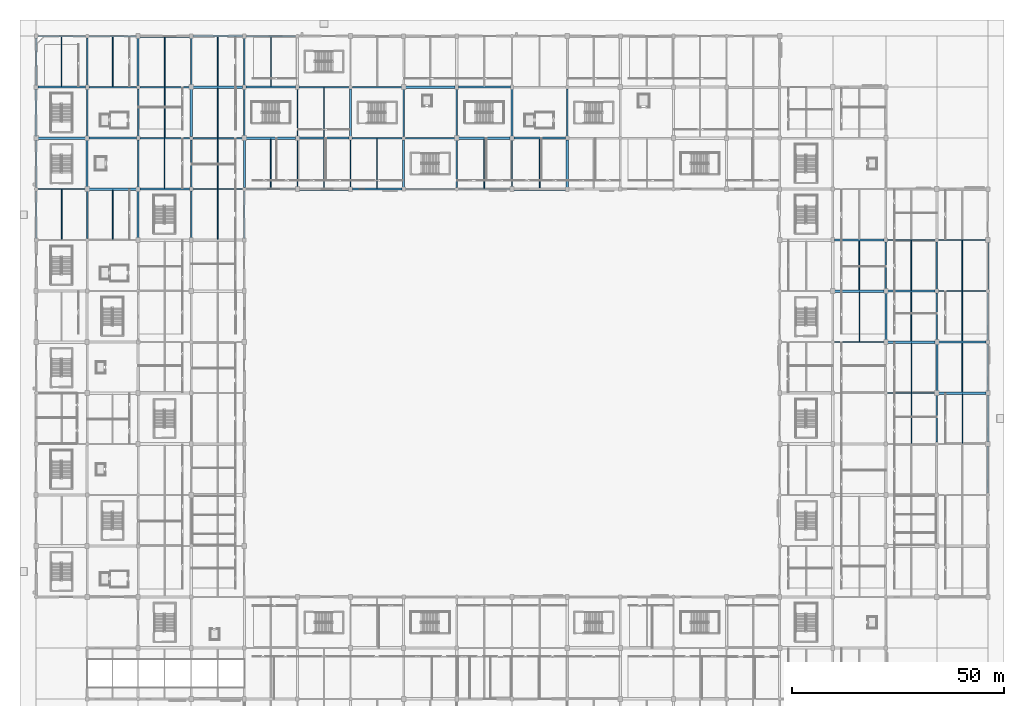
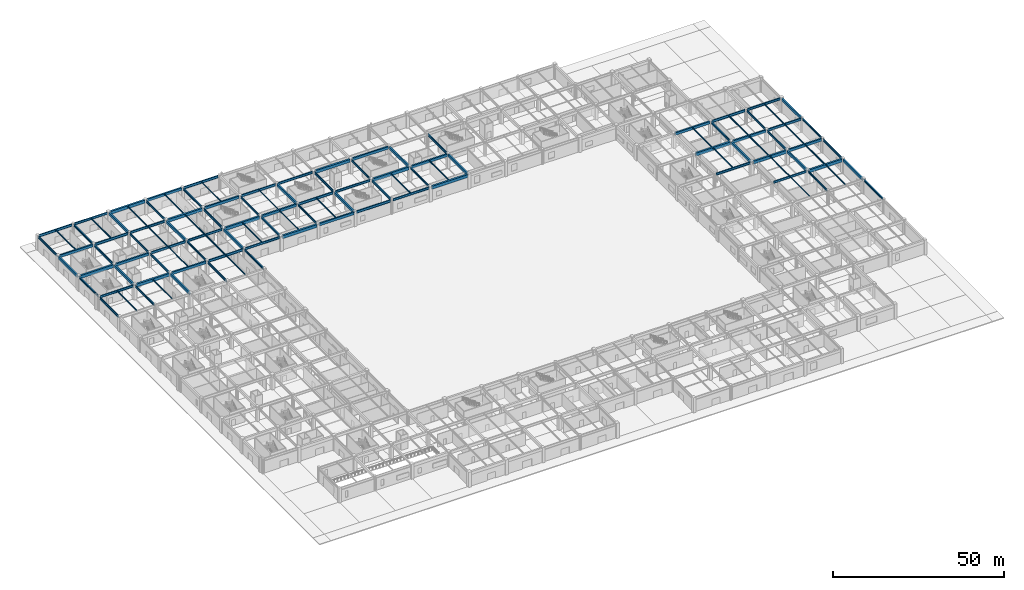
# One storey, part 7 of 69: 116 beams.
"""IFC4 building model written with IfcOpenShell, lengths in metres."""

from ifc_helpers import new_model, si_unit, direction, frame, origin, origin_2d, place, context, subcontext, project, spatial, rectangle, i_section, extrude, material, material_profile, profile_set, type_object, element, save


model = new_model("IFC4")

# Units and contexts
model_context = context("Model", 3, precision=1e-05, world=origin(), true_north=direction((0.0, 1.0)))
body_context = subcontext(model_context, "Body", "Model", "MODEL_VIEW")
ifc_project = project(units=[si_unit("LENGTHUNIT", "METRE"), si_unit("AREAUNIT", "SQUARE_METRE"), si_unit("VOLUMEUNIT", "CUBIC_METRE"), si_unit("PLANEANGLEUNIT", "RADIAN"), si_unit("MASSUNIT", "GRAM", prefix="KILO")], contexts=[model_context])

# Site, building, storey
site_placement = place(None, origin())
site = spatial("IfcSite", under=ifc_project, at=site_placement, CompositionType="ELEMENT")
building_placement = place(site_placement, origin())
building = spatial("IfcBuilding", under=site, at=building_placement, Name="Kazenohara Klinker Stadium", CompositionType="ELEMENT")
storey_placement = place(building_placement, origin())
storey = spatial("IfcBuildingStorey", under=building, at=storey_placement, Name="L00", CompositionType="ELEMENT", Elevation=0.0)

# Beams
ifc_material_1 = material(Name="Steel S355", Category="steel")
ifc_material_profile_1 = material_profile(ifc_material_1, i_section(OverallWidth=0.199951171875, OverallDepth=0.5, WebThickness=0.010009765625, FlangeThickness=0.01611328125, FilletRadius=0.012939453125, at=origin_2d()), Name="H-500x200x10x16")
ifc_profile_set_1 = profile_set([ifc_material_profile_1], Name="Steel S355")
beam_type_1 = type_object("IfcBeamType", Name="BM-JST01", PredefinedType="JOIST", material=ifc_profile_set_1)
for number, where, z_axis, x_axis, name in (
    (1, (18.0, 156.14990234375, 4.889892578125), (0.0, 1.0, 0.0), (-1.0, 0.0, 0.0), "Secondary floor joist SJ01 L00 2/P"),
    (2, (30.25, 144.14990234375, 4.889892578125), (0.0, 1.0, 0.0), (-1.0, 0.0, 0.0), "Secondary floor joist SJ01 L00 3/N"),
    (3, (42.75, 132.14990234375, 4.889892578125), (0.0, 1.0, 0.0), (-1.0, 0.0, 0.0), "Secondary floor joist SJ01 L00 4/M"),
):
    element("IfcBeam", number, at=place(storey_placement, frame(where, z_axis=z_axis, x_axis=x_axis)), inside=storey, type_object=beam_type_1, Name=name, PredefinedType="JOIST", context=body_context, shape_type="SweptSolid", body=[
        extrude(i_section(OverallWidth=0.199951171875, OverallDepth=0.5, WebThickness=0.010009765625, FlangeThickness=0.01611328125, FilletRadius=0.012939453125, at=origin_2d()), origin(), (0.0, 0.0, 1.0), 11.7001953125),
    ])
beam_1_placement = place(storey_placement, frame((105.5, 132.14990234375, 4.889892578125), z_axis=(0.0, 1.0, 0.0), x_axis=(-1.0, 0.0, 0.0)))
element("IfcBeam", 4, at=beam_1_placement, inside=storey, type_object=beam_type_1, Name="Secondary floor joist SJ01 L00 9/M", PredefinedType="JOIST", context=body_context, shape_type="SweptSolid", body=[
    extrude(i_section(OverallWidth=0.199951171875, OverallDepth=0.5, WebThickness=0.010009765625, FlangeThickness=0.01611328125, FilletRadius=0.012939453125, at=origin_2d()), origin(), (0.0, 0.0, 1.0), 11.550048828125),
])
for number, where, z_axis, x_axis, name in (
    (5, (193.75, 108.300048828125, 4.889892578125), (0.0, 1.0, 0.0), (-1.0, 0.0, 0.0), "Secondary floor joist SJ01 L00 16/K"),
    (6, (206.0, 96.300048828125, 4.889892578125), (0.0, 1.0, 0.0), (-1.0, 0.0, 0.0), "Secondary floor joist SJ01 L00 17/J"),
    (7, (218.0, 84.300048828125, 4.889892578125), (0.0, 1.0, 0.0), (-1.0, 0.0, 0.0), "Secondary floor joist SJ01 L00 18/H"),
):
    element("IfcBeam", number, at=place(storey_placement, frame(where, z_axis=z_axis, x_axis=x_axis)), inside=storey, type_object=beam_type_1, Name=name, PredefinedType="JOIST", context=body_context, shape_type="SweptSolid", body=[
        extrude(i_section(OverallWidth=0.199951171875, OverallDepth=0.5, WebThickness=0.010009765625, FlangeThickness=0.01611328125, FilletRadius=0.012939453125, at=origin_2d()), origin(), (0.0, 0.0, 1.0), 11.449951171875),
    ])
ifc_material_profile_2 = material_profile(ifc_material_1, i_section(OverallWidth=0.199951171875, OverallDepth=0.449951171875, WebThickness=0.009033203125, FlangeThickness=0.013916015625, FilletRadius=0.012939453125, at=origin_2d()), Name="H-450x200x9x14")
ifc_profile_set_2 = profile_set([ifc_material_profile_2], Name="Steel S355")
beam_type_2 = type_object("IfcBeamType", Name="BM-JST02", PredefinedType="JOIST", material=ifc_profile_set_2)
beam_2_placement = place(storey_placement, frame((6.0, 120.14990234375, 4.9150390625), z_axis=(0.0, 1.0, 0.0), x_axis=(-1.0, 0.0, 0.0)))
element("IfcBeam", 8, at=beam_2_placement, inside=storey, type_object=beam_type_2, Name="Secondary floor joist SJ02 L00 1/L", PredefinedType="JOIST", context=body_context, shape_type="SweptSolid", body=[
    extrude(i_section(OverallWidth=0.199951171875, OverallDepth=0.449951171875, WebThickness=0.009033203125, FlangeThickness=0.013916015625, FilletRadius=0.012939453125, at=origin_2d()), origin(), (0.0, 0.0, 1.0), 11.7001953125),
])
for number, where, z_axis, x_axis, name in (
    (9, (30.25, 156.14990234375, 4.9150390625), (0.0, 1.0, 0.0), (-1.0, 0.0, 0.0), "Secondary floor joist SJ02 L00 3/P"),
    (10, (42.75, 144.14990234375, 4.9150390625), (0.0, 1.0, 0.0), (-1.0, 0.0, 0.0), "Secondary floor joist SJ02 L00 4/N"),
    (11, (55.25, 132.14990234375, 4.9150390625), (0.0, 1.0, 0.0), (-1.0, 0.0, 0.0), "Secondary floor joist SJ02 L00 5/M"),
):
    element("IfcBeam", number, at=place(storey_placement, frame(where, z_axis=z_axis, x_axis=x_axis)), inside=storey, type_object=beam_type_2, Name=name, PredefinedType="JOIST", context=body_context, shape_type="SweptSolid", body=[
        extrude(i_section(OverallWidth=0.199951171875, OverallDepth=0.449951171875, WebThickness=0.009033203125, FlangeThickness=0.013916015625, FilletRadius=0.012939453125, at=origin_2d()), origin(), (0.0, 0.0, 1.0), 11.550048828125),
    ])
beam_3_placement = place(storey_placement, frame((118.5, 132.300048828125, 4.9150390625), z_axis=(0.0, 1.0, 0.0), x_axis=(-1.0, 0.0, 0.0)))
element("IfcBeam", 12, at=beam_3_placement, inside=storey, type_object=beam_type_2, Name="Secondary floor joist SJ02 L00 10/M", PredefinedType="JOIST", context=body_context, shape_type="SweptSolid", body=[
    extrude(i_section(OverallWidth=0.199951171875, OverallDepth=0.449951171875, WebThickness=0.009033203125, FlangeThickness=0.013916015625, FilletRadius=0.012939453125, at=origin_2d()), origin(), (0.0, 0.0, 1.0), 11.449951171875),
])
for number, where, z_axis, x_axis, name in (
    (13, (206.0, 108.25, 4.9150390625), (0.0, 1.0, 0.0), (-1.0, 0.0, 0.0), "Secondary floor joist SJ02 L00 17/K"),
    (14, (218.0, 96.25, 4.9150390625), (0.0, 1.0, 0.0), (-1.0, 0.0, 0.0), "Secondary floor joist SJ02 L00 18/J"),
):
    element("IfcBeam", number, at=place(storey_placement, frame(where, z_axis=z_axis, x_axis=x_axis)), inside=storey, type_object=beam_type_2, Name=name, PredefinedType="JOIST", context=body_context, shape_type="SweptSolid", body=[
        extrude(i_section(OverallWidth=0.199951171875, OverallDepth=0.449951171875, WebThickness=0.009033203125, FlangeThickness=0.013916015625, FilletRadius=0.012939453125, at=origin_2d()), origin(), (0.0, 0.0, 1.0), 11.60009765625),
    ])
ifc_material_profile_3 = material_profile(ifc_material_1, i_section(OverallWidth=0.199951171875, OverallDepth=0.39990234375, WebThickness=0.008056640625, FlangeThickness=0.012939453125, FilletRadius=0.012939453125, at=origin_2d()), Name="H-400x200x8x13")
ifc_profile_set_3 = profile_set([ifc_material_profile_3], Name="Steel S355")
beam_type_3 = type_object("IfcBeamType", Name="BM-JST03", PredefinedType="JOIST", material=ifc_profile_set_3)
beam_4_placement = place(storey_placement, frame((18.0, 120.14990234375, 4.93994140625), z_axis=(0.0, 1.0, 0.0), x_axis=(-1.0, 0.0, 0.0)))
element("IfcBeam", 15, at=beam_4_placement, inside=storey, type_object=beam_type_3, Name="Secondary floor joist SJ03 L00 2/L", PredefinedType="JOIST", context=body_context, shape_type="SweptSolid", body=[
    extrude(i_section(OverallWidth=0.199951171875, OverallDepth=0.39990234375, WebThickness=0.008056640625, FlangeThickness=0.012939453125, FilletRadius=0.012939453125, at=origin_2d()), origin(), (0.0, 0.0, 1.0), 11.550048828125),
])
for number, where, z_axis, x_axis, name in (
    (16, (42.75, 156.300048828125, 4.93994140625), (0.0, 1.0, 0.0), (-1.0, 0.0, 0.0), "Secondary floor joist SJ03 L00 4/P"),
    (17, (67.75, 132.300048828125, 4.93994140625), (0.0, 1.0, 0.0), (-1.0, 0.0, 0.0), "Secondary floor joist SJ03 L00 6/M"),
):
    element("IfcBeam", number, at=place(storey_placement, frame(where, z_axis=z_axis, x_axis=x_axis)), inside=storey, type_object=beam_type_3, Name=name, PredefinedType="JOIST", context=body_context, shape_type="SweptSolid", body=[
        extrude(i_section(OverallWidth=0.199951171875, OverallDepth=0.39990234375, WebThickness=0.008056640625, FlangeThickness=0.012939453125, FilletRadius=0.012939453125, at=origin_2d()), origin(), (0.0, 0.0, 1.0), 11.449951171875),
    ])
beam_5_placement = place(storey_placement, frame((218.0, 108.14990234375, 4.93994140625), z_axis=(0.0, 1.0, 0.0), x_axis=(-1.0, 0.0, 0.0)))
element("IfcBeam", 18, at=beam_5_placement, inside=storey, type_object=beam_type_3, Name="Secondary floor joist SJ03 L00 18/K", PredefinedType="JOIST", context=body_context, shape_type="SweptSolid", body=[
    extrude(i_section(OverallWidth=0.199951171875, OverallDepth=0.39990234375, WebThickness=0.008056640625, FlangeThickness=0.012939453125, FilletRadius=0.012939453125, at=origin_2d()), origin(), (0.0, 0.0, 1.0), 11.7001953125),
])
ifc_material_profile_4 = material_profile(ifc_material_1, i_section(OverallWidth=0.175048828125, OverallDepth=0.35009765625, WebThickness=0.007080078125, FlangeThickness=0.010986328125, FilletRadius=0.012939453125, at=origin_2d()), Name="H-350x175x7x11")
ifc_profile_set_4 = profile_set([ifc_material_profile_4], Name="Steel S355")
beam_type_4 = type_object("IfcBeamType", Name="BM-JST04", PredefinedType="JOIST", material=ifc_profile_set_4)
for number, where, z_axis, x_axis, name in (
    (19, (55.25, 156.25, 4.965087890625), (0.0, 1.0, 0.0), (-1.0, 0.0, 0.0), "Secondary floor joist SJ04 L00 5/P"),
    (20, (67.75, 144.25, 4.965087890625), (0.0, 1.0, 0.0), (-1.0, 0.0, 0.0), "Secondary floor joist SJ04 L00 6/N"),
    (21, (80.25, 132.25, 4.965087890625), (0.0, 1.0, 0.0), (-1.0, 0.0, 0.0), "Secondary floor joist SJ04 L00 7/M"),
):
    element("IfcBeam", number, at=place(storey_placement, frame(where, z_axis=z_axis, x_axis=x_axis)), inside=storey, type_object=beam_type_4, Name=name, PredefinedType="JOIST", context=body_context, shape_type="SweptSolid", body=[
        extrude(i_section(OverallWidth=0.175048828125, OverallDepth=0.35009765625, WebThickness=0.007080078125, FlangeThickness=0.010986328125, FilletRadius=0.012939453125, at=origin_2d()), origin(), (0.0, 0.0, 1.0), 11.60009765625),
    ])
beam_6_placement = place(storey_placement, frame((206.0, 72.14990234375, 4.965087890625), z_axis=(0.0, 1.0, 0.0), x_axis=(-1.0, 0.0, 0.0)))
element("IfcBeam", 22, at=beam_6_placement, inside=storey, type_object=beam_type_4, Name="Secondary floor joist SJ04 L00 17/G", PredefinedType="JOIST", context=body_context, shape_type="SweptSolid", body=[
    extrude(i_section(OverallWidth=0.175048828125, OverallDepth=0.35009765625, WebThickness=0.007080078125, FlangeThickness=0.010986328125, FilletRadius=0.012939453125, at=origin_2d()), origin(), (0.0, 0.0, 1.0), 11.7001953125),
])
ifc_material_profile_5 = material_profile(ifc_material_1, i_section(OverallWidth=0.14990234375, OverallDepth=0.300048828125, WebThickness=0.006591796875, FlangeThickness=0.009033203125, FilletRadius=0.012939453125, at=origin_2d()), Name="H-300x150x6.5x9")
ifc_profile_set_5 = profile_set([ifc_material_profile_5], Name="Steel S355")
beam_type_5 = type_object("IfcBeamType", Name="BM-JST05", PredefinedType="JOIST", material=ifc_profile_set_5)
for number, where, z_axis, x_axis, name in (
    (23, (6.0, 156.25, 4.989990234375), (0.0, 1.0, 0.0), (-1.0, 0.0, 0.0), "Secondary floor joist SJ05 L00 1/P"),
    (24, (30.25, 132.25, 4.989990234375), (0.0, 1.0, 0.0), (-1.0, 0.0, 0.0), "Secondary floor joist SJ05 L00 3/M"),
    (25, (42.75, 120.25, 4.989990234375), (0.0, 1.0, 0.0), (-1.0, 0.0, 0.0), "Secondary floor joist SJ05 L00 4/L"),
):
    element("IfcBeam", number, at=place(storey_placement, frame(where, z_axis=z_axis, x_axis=x_axis)), inside=storey, type_object=beam_type_5, Name=name, PredefinedType="JOIST", context=body_context, shape_type="SweptSolid", body=[
        extrude(i_section(OverallWidth=0.14990234375, OverallDepth=0.300048828125, WebThickness=0.006591796875, FlangeThickness=0.009033203125, FilletRadius=0.012939453125, at=origin_2d()), origin(), (0.0, 0.0, 1.0), 11.60009765625),
    ])
for number, where, z_axis, x_axis, name in (
    (26, (193.75, 96.14990234375, 4.989990234375), (0.0, 1.0, 0.0), (-1.0, 0.0, 0.0), "Secondary floor joist SJ05 L00 16/J"),
    (27, (206.0, 84.14990234375, 4.989990234375), (0.0, 1.0, 0.0), (-1.0, 0.0, 0.0), "Secondary floor joist SJ05 L00 17/H"),
    (28, (218.0, 72.14990234375, 4.989990234375), (0.0, 1.0, 0.0), (-1.0, 0.0, 0.0), "Secondary floor joist SJ05 L00 18/G"),
):
    element("IfcBeam", number, at=place(storey_placement, frame(where, z_axis=z_axis, x_axis=x_axis)), inside=storey, type_object=beam_type_5, Name=name, PredefinedType="JOIST", context=body_context, shape_type="SweptSolid", body=[
        extrude(i_section(OverallWidth=0.14990234375, OverallDepth=0.300048828125, WebThickness=0.006591796875, FlangeThickness=0.009033203125, FilletRadius=0.012939453125, at=origin_2d()), origin(), (0.0, 0.0, 1.0), 11.550048828125),
    ])
ifc_material_2 = material(Name="Concrete C40/50", Category="concrete")
ifc_material_profile_6 = material_profile(ifc_material_2, rectangle(XDim=0.60009765625, YDim=1.050048828125, at=origin_2d()), Name="RC-BM-600x1050")
ifc_profile_set_6 = profile_set([ifc_material_profile_6], Name="Concrete C40/50")
beam_type_6 = type_object("IfcBeamType", Name="BM-RC01", PredefinedType="BEAM", material=ifc_profile_set_6)
for number, where, z_axis, x_axis, name in (
    (29, (0.419921875, 144.0, 4.614990234375), (1.0, 0.0, 0.0), (0.0, 1.0, 0.0), "Primary girder BG01 L00 1-2/N"),
    (30, (12.419921875, 132.0, 4.614990234375), (1.0, 0.0, 0.0), (0.0, 1.0, 0.0), "Primary girder BG01 L00 2-3/M"),
):
    element("IfcBeam", number, at=place(storey_placement, frame(where, z_axis=z_axis, x_axis=x_axis)), inside=storey, type_object=beam_type_6, Name=name, PredefinedType="BEAM", context=body_context, shape_type="SweptSolid", body=[
        extrude(rectangle(XDim=0.60009765625, YDim=1.050048828125, at=origin_2d()), origin(), (0.0, 0.0, 1.0), 11.16015625),
    ])
for number, where, z_axis, x_axis, name in (
    (31, (24.419921875, 168.0, 4.614990234375), (1.0, 0.0, 0.0), (0.0, 1.0, 0.0), "Primary girder BG01 L00 3-4/Q"),
    (32, (36.919921875, 156.0, 4.614990234375), (1.0, 0.0, 0.0), (0.0, 1.0, 0.0), "Primary girder BG01 L00 4-5/P"),
    (33, (49.419921875, 144.0, 4.614990234375), (1.0, 0.0, 0.0), (0.0, 1.0, 0.0), "Primary girder BG01 L00 5-6/N"),
    (34, (61.919921875, 132.0, 4.614990234375), (1.0, 0.0, 0.0), (0.0, 1.0, 0.0), "Primary girder BG01 L00 6-7/M"),
    (35, (86.919921875, 156.0, 4.614990234375), (1.0, 0.0, 0.0), (0.0, 1.0, 0.0), "Primary girder BG01 L00 8-9/P"),
):
    element("IfcBeam", number, at=place(storey_placement, frame(where, z_axis=z_axis, x_axis=x_axis)), inside=storey, type_object=beam_type_6, Name=name, PredefinedType="BEAM", context=body_context, shape_type="SweptSolid", body=[
        extrude(rectangle(XDim=0.60009765625, YDim=1.050048828125, at=origin_2d()), origin(), (0.0, 0.0, 1.0), 11.66015625),
    ])
for number, where, z_axis, x_axis, name in (
    (36, (99.419921875, 144.0, 4.614990234375), (1.0, 0.0, 0.0), (0.0, 1.0, 0.0), "Primary girder BG01 L00 9-10/N"),
    (37, (112.419921875, 132.0, 4.614990234375), (1.0, 0.0, 0.0), (0.0, 1.0, 0.0), "Primary girder BG01 L00 10-11/M"),
):
    element("IfcBeam", number, at=place(storey_placement, frame(where, z_axis=z_axis, x_axis=x_axis)), inside=storey, type_object=beam_type_6, Name=name, PredefinedType="BEAM", context=body_context, shape_type="SweptSolid", body=[
        extrude(rectangle(XDim=0.60009765625, YDim=1.050048828125, at=origin_2d()), origin(), (0.0, 0.0, 1.0), 12.16015625),
    ])
beam_7_placement = place(storey_placement, frame((187.919921875, 108.0, 4.614990234375), z_axis=(1.0, 0.0, 0.0), x_axis=(0.0, 1.0, 0.0)))
element("IfcBeam", 38, at=beam_7_placement, inside=storey, type_object=beam_type_6, Name="Primary girder BG01 L00 16-17/K", PredefinedType="BEAM", context=body_context, shape_type="SweptSolid", body=[
    extrude(rectangle(XDim=0.60009765625, YDim=1.050048828125, at=origin_2d()), origin(), (0.0, 0.0, 1.0), 11.66015625),
])
for number, where, z_axis, x_axis, name in (
    (39, (200.419921875, 96.0, 4.614990234375), (1.0, 0.0, 0.0), (0.0, 1.0, 0.0), "Primary girder BG01 L00 17-18/J"),
    (40, (212.419921875, 84.0, 4.614990234375), (1.0, 0.0, 0.0), (0.0, 1.0, 0.0), "Primary girder BG01 L00 18-19/H"),
):
    element("IfcBeam", number, at=place(storey_placement, frame(where, z_axis=z_axis, x_axis=x_axis)), inside=storey, type_object=beam_type_6, Name=name, PredefinedType="BEAM", context=body_context, shape_type="SweptSolid", body=[
        extrude(rectangle(XDim=0.60009765625, YDim=1.050048828125, at=origin_2d()), origin(), (0.0, 0.0, 1.0), 11.16015625),
    ])
ifc_material_profile_7 = material_profile(ifc_material_2, rectangle(XDim=0.5, YDim=0.89990234375, at=origin_2d()), Name="RC-BM-500x900")
ifc_profile_set_7 = profile_set([ifc_material_profile_7], Name="Concrete C40/50")
beam_type_7 = type_object("IfcBeamType", Name="BM-RC02", PredefinedType="BEAM", material=ifc_profile_set_7)
for number, where, z_axis, x_axis, name in (
    (41, (0.419921875, 156.0, 4.68994140625), (1.0, 0.0, 0.0), (0.0, 1.0, 0.0), "Primary girder BG02 L00 1-2/P"),
    (42, (12.419921875, 144.0, 4.68994140625), (1.0, 0.0, 0.0), (0.0, 1.0, 0.0), "Primary girder BG02 L00 2-3/N"),
):
    element("IfcBeam", number, at=place(storey_placement, frame(where, z_axis=z_axis, x_axis=x_axis)), inside=storey, type_object=beam_type_7, Name=name, PredefinedType="BEAM", context=body_context, shape_type="SweptSolid", body=[
        extrude(rectangle(XDim=0.5, YDim=0.89990234375, at=origin_2d()), origin(), (0.0, 0.0, 1.0), 11.18017578125),
    ])
for number, where, z_axis, x_axis, name in (
    (43, (24.419921875, 132.0, 4.68994140625), (1.0, 0.0, 0.0), (0.0, 1.0, 0.0), "Primary girder BG02 L00 3-4/M"),
    (44, (36.919921875, 168.0, 4.68994140625), (1.0, 0.0, 0.0), (0.0, 1.0, 0.0), "Primary girder BG02 L00 4-5/Q"),
    (45, (49.419921875, 156.0, 4.68994140625), (1.0, 0.0, 0.0), (0.0, 1.0, 0.0), "Primary girder BG02 L00 5-6/P"),
    (46, (61.919921875, 144.0, 4.68994140625), (1.0, 0.0, 0.0), (0.0, 1.0, 0.0), "Primary girder BG02 L00 6-7/N"),
    (47, (74.419921875, 132.0, 4.68994140625), (1.0, 0.0, 0.0), (0.0, 1.0, 0.0), "Primary girder BG02 L00 7-8/M"),
):
    element("IfcBeam", number, at=place(storey_placement, frame(where, z_axis=z_axis, x_axis=x_axis)), inside=storey, type_object=beam_type_7, Name=name, PredefinedType="BEAM", context=body_context, shape_type="SweptSolid", body=[
        extrude(rectangle(XDim=0.5, YDim=0.89990234375, at=origin_2d()), origin(), (0.0, 0.0, 1.0), 11.68017578125),
    ])
for number, where, z_axis, x_axis, name in (
    (48, (99.419921875, 156.0, 4.68994140625), (1.0, 0.0, 0.0), (0.0, 1.0, 0.0), "Primary girder BG02 L00 9-10/P"),
    (49, (112.419921875, 144.0, 4.68994140625), (1.0, 0.0, 0.0), (0.0, 1.0, 0.0), "Primary girder BG02 L00 10-11/N"),
):
    element("IfcBeam", number, at=place(storey_placement, frame(where, z_axis=z_axis, x_axis=x_axis)), inside=storey, type_object=beam_type_7, Name=name, PredefinedType="BEAM", context=body_context, shape_type="SweptSolid", body=[
        extrude(rectangle(XDim=0.5, YDim=0.89990234375, at=origin_2d()), origin(), (0.0, 0.0, 1.0), 12.18017578125),
    ])
beam_8_placement = place(storey_placement, frame((187.919921875, 120.0, 4.68994140625), z_axis=(1.0, 0.0, 0.0), x_axis=(0.0, 1.0, 0.0)))
element("IfcBeam", 50, at=beam_8_placement, inside=storey, type_object=beam_type_7, Name="Primary girder BG02 L00 16-17/L", PredefinedType="BEAM", context=body_context, shape_type="SweptSolid", body=[
    extrude(rectangle(XDim=0.5, YDim=0.89990234375, at=origin_2d()), origin(), (0.0, 0.0, 1.0), 11.68017578125),
])
for number, where, z_axis, x_axis, name in (
    (51, (200.419921875, 108.0, 4.68994140625), (1.0, 0.0, 0.0), (0.0, 1.0, 0.0), "Primary girder BG02 L00 17-18/K"),
    (52, (212.419921875, 96.0, 4.68994140625), (1.0, 0.0, 0.0), (0.0, 1.0, 0.0), "Primary girder BG02 L00 18-19/J"),
):
    element("IfcBeam", number, at=place(storey_placement, frame(where, z_axis=z_axis, x_axis=x_axis)), inside=storey, type_object=beam_type_7, Name=name, PredefinedType="BEAM", context=body_context, shape_type="SweptSolid", body=[
        extrude(rectangle(XDim=0.5, YDim=0.89990234375, at=origin_2d()), origin(), (0.0, 0.0, 1.0), 11.18017578125),
    ])
for number, where, z_axis, x_axis, name in (
    (53, (0.0, 144.419921875, 4.68994140625), (0.0, 1.0, 0.0), (-1.0, 0.0, 0.0), "Primary girder BG02 L00 1/N-P"),
    (54, (12.0, 132.419921875, 4.68994140625), (0.0, 1.0, 0.0), (-1.0, 0.0, 0.0), "Primary girder BG02 L00 2/M-N"),
    (55, (24.0, 120.419921875, 4.68994140625), (0.0, 1.0, 0.0), (-1.0, 0.0, 0.0), "Primary girder BG02 L00 3/L-M"),
    (56, (24.0, 156.419921875, 4.68994140625), (0.0, 1.0, 0.0), (-1.0, 0.0, 0.0), "Primary girder BG02 L00 3/P-Q"),
    (57, (36.5, 144.419921875, 4.68994140625), (0.0, 1.0, 0.0), (-1.0, 0.0, 0.0), "Primary girder BG02 L00 4/N-P"),
    (58, (49.0, 132.419921875, 4.68994140625), (0.0, 1.0, 0.0), (-1.0, 0.0, 0.0), "Primary girder BG02 L00 5/M-N"),
    (59, (74.0, 144.419921875, 4.68994140625), (0.0, 1.0, 0.0), (-1.0, 0.0, 0.0), "Primary girder BG02 L00 7/N-P"),
    (60, (86.5, 132.419921875, 4.68994140625), (0.0, 1.0, 0.0), (-1.0, 0.0, 0.0), "Primary girder BG02 L00 8/M-N"),
    (61, (112.0, 144.419921875, 4.68994140625), (0.0, 1.0, 0.0), (-1.0, 0.0, 0.0), "Primary girder BG02 L00 10/N-P"),
    (62, (125.0, 132.419921875, 4.68994140625), (0.0, 1.0, 0.0), (-1.0, 0.0, 0.0), "Primary girder BG02 L00 11/M-N"),
    (63, (200.0, 96.419921875, 4.68994140625), (0.0, 1.0, 0.0), (-1.0, 0.0, 0.0), "Primary girder BG02 L00 17/J-K"),
    (64, (212.0, 84.419921875, 4.68994140625), (0.0, 1.0, 0.0), (-1.0, 0.0, 0.0), "Primary girder BG02 L00 18/H-J"),
    (65, (224.0, 72.419921875, 4.68994140625), (0.0, 1.0, 0.0), (-1.0, 0.0, 0.0), "Primary girder BG02 L00 19/G-H"),
    (66, (224.0, 108.419921875, 4.68994140625), (0.0, 1.0, 0.0), (-1.0, 0.0, 0.0), "Primary girder BG02 L00 19/K-L"),
):
    element("IfcBeam", number, at=place(storey_placement, frame(where, z_axis=z_axis, x_axis=x_axis)), inside=storey, type_object=beam_type_7, Name=name, PredefinedType="BEAM", context=body_context, shape_type="SweptSolid", body=[
        extrude(rectangle(XDim=0.5, YDim=0.89990234375, at=origin_2d()), origin(), (0.0, 0.0, 1.0), 11.16015625),
    ])
ifc_material_profile_8 = material_profile(ifc_material_1, i_section(OverallWidth=0.300048828125, OverallDepth=0.89990234375, WebThickness=0.01611328125, FlangeThickness=0.028076171875, FilletRadius=0.02197265625, at=origin_2d()), Name="H-900x300x16x28")
ifc_profile_set_8 = profile_set([ifc_material_profile_8], Name="Steel S355")
beam_type_8 = type_object("IfcBeamType", Name="BM-ST01", PredefinedType="BEAM", material=ifc_profile_set_8)
for number, where, z_axis, x_axis, name in (
    (67, (0.39990234375, 168.0, 4.68994140625), (1.0, 0.0, 0.0), (0.0, 1.0, 0.0), "Primary girder SB01 L00 1-2/Q"),
    (68, (12.39990234375, 156.0, 4.68994140625), (1.0, 0.0, 0.0), (0.0, 1.0, 0.0), "Primary girder SB01 L00 2-3/P"),
):
    element("IfcBeam", number, at=place(storey_placement, frame(where, z_axis=z_axis, x_axis=x_axis)), inside=storey, type_object=beam_type_8, Name=name, PredefinedType="BEAM", context=body_context, shape_type="SweptSolid", body=[
        extrude(i_section(OverallWidth=0.300048828125, OverallDepth=0.89990234375, WebThickness=0.01611328125, FlangeThickness=0.028076171875, FilletRadius=0.02197265625, at=origin_2d()), origin(), (0.0, 0.0, 1.0), 11.18017578125),
    ])
for number, where, z_axis, x_axis, name in (
    (69, (24.39990234375, 144.0, 4.68994140625), (1.0, 0.0, 0.0), (0.0, 1.0, 0.0), "Primary girder SB01 L00 3-4/N"),
    (70, (36.89990234375, 132.0, 4.68994140625), (1.0, 0.0, 0.0), (0.0, 1.0, 0.0), "Primary girder SB01 L00 4-5/M"),
    (71, (49.39990234375, 168.0, 4.68994140625), (1.0, 0.0, 0.0), (0.0, 1.0, 0.0), "Primary girder SB01 L00 5-6/Q"),
    (72, (61.89990234375, 156.0, 4.68994140625), (1.0, 0.0, 0.0), (0.0, 1.0, 0.0), "Primary girder SB01 L00 6-7/P"),
    (73, (74.39990234375, 144.0, 4.68994140625), (1.0, 0.0, 0.0), (0.0, 1.0, 0.0), "Primary girder SB01 L00 7-8/N"),
    (74, (86.89990234375, 132.0, 4.68994140625), (1.0, 0.0, 0.0), (0.0, 1.0, 0.0), "Primary girder SB01 L00 8-9/M"),
):
    element("IfcBeam", number, at=place(storey_placement, frame(where, z_axis=z_axis, x_axis=x_axis)), inside=storey, type_object=beam_type_8, Name=name, PredefinedType="BEAM", context=body_context, shape_type="SweptSolid", body=[
        extrude(i_section(OverallWidth=0.300048828125, OverallDepth=0.89990234375, WebThickness=0.01611328125, FlangeThickness=0.028076171875, FilletRadius=0.02197265625, at=origin_2d()), origin(), (0.0, 0.0, 1.0), 11.68017578125),
    ])
for number, where, z_axis, x_axis, name in (
    (75, (200.39990234375, 120.0, 4.68994140625), (1.0, 0.0, 0.0), (0.0, 1.0, 0.0), "Primary girder SB01 L00 17-18/L"),
    (76, (212.39990234375, 108.0, 4.68994140625), (1.0, 0.0, 0.0), (0.0, 1.0, 0.0), "Primary girder SB01 L00 18-19/K"),
):
    element("IfcBeam", number, at=place(storey_placement, frame(where, z_axis=z_axis, x_axis=x_axis)), inside=storey, type_object=beam_type_8, Name=name, PredefinedType="BEAM", context=body_context, shape_type="SweptSolid", body=[
        extrude(i_section(OverallWidth=0.300048828125, OverallDepth=0.89990234375, WebThickness=0.01611328125, FlangeThickness=0.028076171875, FilletRadius=0.02197265625, at=origin_2d()), origin(), (0.0, 0.0, 1.0), 11.18017578125),
    ])
ifc_material_profile_9 = material_profile(ifc_material_1, i_section(OverallWidth=0.300048828125, OverallDepth=0.800048828125, WebThickness=0.013916015625, FlangeThickness=0.02587890625, FilletRadius=0.02197265625, at=origin_2d()), Name="H-800x300x14x26")
ifc_profile_set_9 = profile_set([ifc_material_profile_9], Name="Steel S355")
beam_type_9 = type_object("IfcBeamType", Name="BM-ST02", PredefinedType="BEAM", material=ifc_profile_set_9)
for number, where, z_axis, x_axis, name in (
    (77, (0.419921875, 132.0, 4.739990234375), (1.0, 0.0, 0.0), (0.0, 1.0, 0.0), "Primary girder SB02 L00 1-2/M"),
    (78, (12.419921875, 168.0, 4.739990234375), (1.0, 0.0, 0.0), (0.0, 1.0, 0.0), "Primary girder SB02 L00 2-3/Q"),
):
    element("IfcBeam", number, at=place(storey_placement, frame(where, z_axis=z_axis, x_axis=x_axis)), inside=storey, type_object=beam_type_9, Name=name, PredefinedType="BEAM", context=body_context, shape_type="SweptSolid", body=[
        extrude(i_section(OverallWidth=0.300048828125, OverallDepth=0.800048828125, WebThickness=0.013916015625, FlangeThickness=0.02587890625, FilletRadius=0.02197265625, at=origin_2d()), origin(), (0.0, 0.0, 1.0), 11.16015625),
    ])
for number, where, z_axis, x_axis, name in (
    (79, (24.419921875, 156.0, 4.739990234375), (1.0, 0.0, 0.0), (0.0, 1.0, 0.0), "Primary girder SB02 L00 3-4/P"),
    (80, (36.919921875, 144.0, 4.739990234375), (1.0, 0.0, 0.0), (0.0, 1.0, 0.0), "Primary girder SB02 L00 4-5/N"),
    (81, (49.419921875, 132.0, 4.739990234375), (1.0, 0.0, 0.0), (0.0, 1.0, 0.0), "Primary girder SB02 L00 5-6/M"),
    (82, (74.419921875, 156.0, 4.739990234375), (1.0, 0.0, 0.0), (0.0, 1.0, 0.0), "Primary girder SB02 L00 7-8/P"),
    (83, (86.919921875, 144.0, 4.739990234375), (1.0, 0.0, 0.0), (0.0, 1.0, 0.0), "Primary girder SB02 L00 8-9/N"),
):
    element("IfcBeam", number, at=place(storey_placement, frame(where, z_axis=z_axis, x_axis=x_axis)), inside=storey, type_object=beam_type_9, Name=name, PredefinedType="BEAM", context=body_context, shape_type="SweptSolid", body=[
        extrude(i_section(OverallWidth=0.300048828125, OverallDepth=0.800048828125, WebThickness=0.013916015625, FlangeThickness=0.02587890625, FilletRadius=0.02197265625, at=origin_2d()), origin(), (0.0, 0.0, 1.0), 11.66015625),
    ])
beam_9_placement = place(storey_placement, frame((99.419921875, 132.0, 4.739990234375), z_axis=(1.0, 0.0, 0.0), x_axis=(0.0, 1.0, 0.0)))
element("IfcBeam", 84, at=beam_9_placement, inside=storey, type_object=beam_type_9, Name="Primary girder SB02 L00 9-10/M", PredefinedType="BEAM", context=body_context, shape_type="SweptSolid", body=[
    extrude(i_section(OverallWidth=0.300048828125, OverallDepth=0.800048828125, WebThickness=0.013916015625, FlangeThickness=0.02587890625, FilletRadius=0.02197265625, at=origin_2d()), origin(), (0.0, 0.0, 1.0), 12.16015625),
])
beam_10_placement = place(storey_placement, frame((187.919921875, 96.0, 4.739990234375), z_axis=(1.0, 0.0, 0.0), x_axis=(0.0, 1.0, 0.0)))
element("IfcBeam", 85, at=beam_10_placement, inside=storey, type_object=beam_type_9, Name="Primary girder SB02 L00 16-17/J", PredefinedType="BEAM", context=body_context, shape_type="SweptSolid", body=[
    extrude(i_section(OverallWidth=0.300048828125, OverallDepth=0.800048828125, WebThickness=0.013916015625, FlangeThickness=0.02587890625, FilletRadius=0.02197265625, at=origin_2d()), origin(), (0.0, 0.0, 1.0), 11.66015625),
])
for number, where, z_axis, x_axis, name in (
    (86, (200.419921875, 84.0, 4.739990234375), (1.0, 0.0, 0.0), (0.0, 1.0, 0.0), "Primary girder SB02 L00 17-18/H"),
    (87, (212.419921875, 120.0, 4.739990234375), (1.0, 0.0, 0.0), (0.0, 1.0, 0.0), "Primary girder SB02 L00 18-19/L"),
    (88, (0.0, 120.419921875, 4.739990234375), (0.0, 1.0, 0.0), (-1.0, 0.0, 0.0), "Primary girder SB02 L00 1/L-M"),
    (89, (0.0, 156.419921875, 4.739990234375), (0.0, 1.0, 0.0), (-1.0, 0.0, 0.0), "Primary girder SB02 L00 1/P-Q"),
    (90, (12.0, 144.419921875, 4.739990234375), (0.0, 1.0, 0.0), (-1.0, 0.0, 0.0), "Primary girder SB02 L00 2/N-P"),
    (91, (24.0, 132.419921875, 4.739990234375), (0.0, 1.0, 0.0), (-1.0, 0.0, 0.0), "Primary girder SB02 L00 3/M-N"),
    (92, (36.5, 120.419921875, 4.739990234375), (0.0, 1.0, 0.0), (-1.0, 0.0, 0.0), "Primary girder SB02 L00 4/L-M"),
    (93, (36.5, 156.419921875, 4.739990234375), (0.0, 1.0, 0.0), (-1.0, 0.0, 0.0), "Primary girder SB02 L00 4/P-Q"),
    (94, (49.0, 144.419921875, 4.739990234375), (0.0, 1.0, 0.0), (-1.0, 0.0, 0.0), "Primary girder SB02 L00 5/N-P"),
    (95, (61.5, 132.419921875, 4.739990234375), (0.0, 1.0, 0.0), (-1.0, 0.0, 0.0), "Primary girder SB02 L00 6/M-N"),
    (96, (86.5, 144.419921875, 4.739990234375), (0.0, 1.0, 0.0), (-1.0, 0.0, 0.0), "Primary girder SB02 L00 8/N-P"),
    (97, (99.0, 132.419921875, 4.739990234375), (0.0, 1.0, 0.0), (-1.0, 0.0, 0.0), "Primary girder SB02 L00 9/M-N"),
    (98, (125.0, 144.419921875, 4.739990234375), (0.0, 1.0, 0.0), (-1.0, 0.0, 0.0), "Primary girder SB02 L00 11/N-P"),
    (99, (200.0, 108.419921875, 4.739990234375), (0.0, 1.0, 0.0), (-1.0, 0.0, 0.0), "Primary girder SB02 L00 17/K-L"),
    (100, (212.0, 96.419921875, 4.739990234375), (0.0, 1.0, 0.0), (-1.0, 0.0, 0.0), "Primary girder SB02 L00 18/J-K"),
    (101, (224.0, 84.419921875, 4.739990234375), (0.0, 1.0, 0.0), (-1.0, 0.0, 0.0), "Primary girder SB02 L00 19/H-J"),
):
    element("IfcBeam", number, at=place(storey_placement, frame(where, z_axis=z_axis, x_axis=x_axis)), inside=storey, type_object=beam_type_9, Name=name, PredefinedType="BEAM", context=body_context, shape_type="SweptSolid", body=[
        extrude(i_section(OverallWidth=0.300048828125, OverallDepth=0.800048828125, WebThickness=0.013916015625, FlangeThickness=0.02587890625, FilletRadius=0.02197265625, at=origin_2d()), origin(), (0.0, 0.0, 1.0), 11.16015625),
    ])
ifc_material_profile_10 = material_profile(ifc_material_1, i_section(OverallWidth=0.300048828125, OverallDepth=0.699951171875, WebThickness=0.012939453125, FlangeThickness=0.02392578125, FilletRadius=0.02197265625, at=origin_2d()), Name="H-700x300x13x24")
ifc_profile_set_10 = profile_set([ifc_material_profile_10], Name="Steel S355")
beam_type_10 = type_object("IfcBeamType", Name="BM-ST03", PredefinedType="BEAM", material=ifc_profile_set_10)
for number, where, z_axis, x_axis, name in (
    (102, (0.0, 132.419921875, 4.7900390625), (0.0, 1.0, 0.0), (-1.0, 0.0, 0.0), "Primary girder SB03 L00 1/M-N"),
    (103, (12.0, 120.419921875, 4.7900390625), (0.0, 1.0, 0.0), (-1.0, 0.0, 0.0), "Primary girder SB03 L00 2/L-M"),
    (104, (12.0, 156.419921875, 4.7900390625), (0.0, 1.0, 0.0), (-1.0, 0.0, 0.0), "Primary girder SB03 L00 2/P-Q"),
    (105, (24.0, 144.419921875, 4.7900390625), (0.0, 1.0, 0.0), (-1.0, 0.0, 0.0), "Primary girder SB03 L00 3/N-P"),
    (106, (36.5, 132.419921875, 4.7900390625), (0.0, 1.0, 0.0), (-1.0, 0.0, 0.0), "Primary girder SB03 L00 4/M-N"),
    (107, (49.0, 120.419921875, 4.7900390625), (0.0, 1.0, 0.0), (-1.0, 0.0, 0.0), "Primary girder SB03 L00 5/L-M"),
    (108, (49.0, 156.419921875, 4.7900390625), (0.0, 1.0, 0.0), (-1.0, 0.0, 0.0), "Primary girder SB03 L00 5/P-Q"),
    (109, (61.5, 144.419921875, 4.7900390625), (0.0, 1.0, 0.0), (-1.0, 0.0, 0.0), "Primary girder SB03 L00 6/N-P"),
    (110, (74.0, 132.419921875, 4.7900390625), (0.0, 1.0, 0.0), (-1.0, 0.0, 0.0), "Primary girder SB03 L00 7/M-N"),
    (111, (99.0, 144.419921875, 4.7900390625), (0.0, 1.0, 0.0), (-1.0, 0.0, 0.0), "Primary girder SB03 L00 9/N-P"),
    (112, (112.0, 132.419921875, 4.7900390625), (0.0, 1.0, 0.0), (-1.0, 0.0, 0.0), "Primary girder SB03 L00 10/M-N"),
    (113, (212.0, 72.419921875, 4.7900390625), (0.0, 1.0, 0.0), (-1.0, 0.0, 0.0), "Primary girder SB03 L00 18/G-H"),
    (114, (212.0, 108.419921875, 4.7900390625), (0.0, 1.0, 0.0), (-1.0, 0.0, 0.0), "Primary girder SB03 L00 18/K-L"),
    (115, (224.0, 60.419921875, 4.7900390625), (0.0, 1.0, 0.0), (-1.0, 0.0, 0.0), "Primary girder SB03 L00 19/F-G"),
    (116, (224.0, 96.419921875, 4.7900390625), (0.0, 1.0, 0.0), (-1.0, 0.0, 0.0), "Primary girder SB03 L00 19/J-K"),
):
    element("IfcBeam", number, at=place(storey_placement, frame(where, z_axis=z_axis, x_axis=x_axis)), inside=storey, type_object=beam_type_10, Name=name, PredefinedType="BEAM", context=body_context, shape_type="SweptSolid", body=[
        extrude(i_section(OverallWidth=0.300048828125, OverallDepth=0.699951171875, WebThickness=0.012939453125, FlangeThickness=0.02392578125, FilletRadius=0.02197265625, at=origin_2d()), origin(), (0.0, 0.0, 1.0), 11.16015625),
    ])

save(model, "model.ifc")
